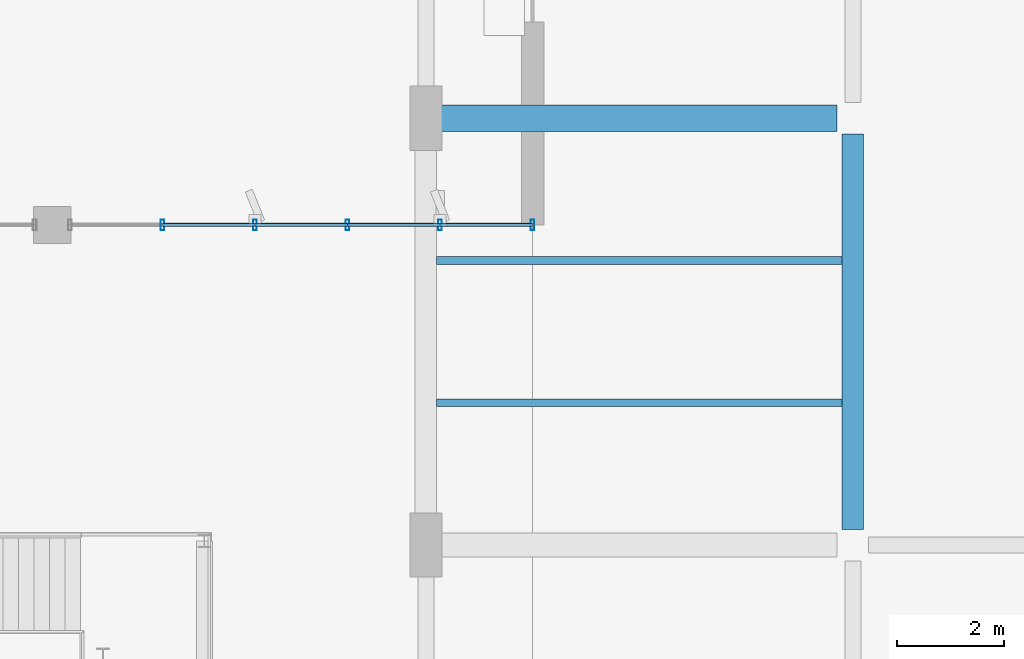
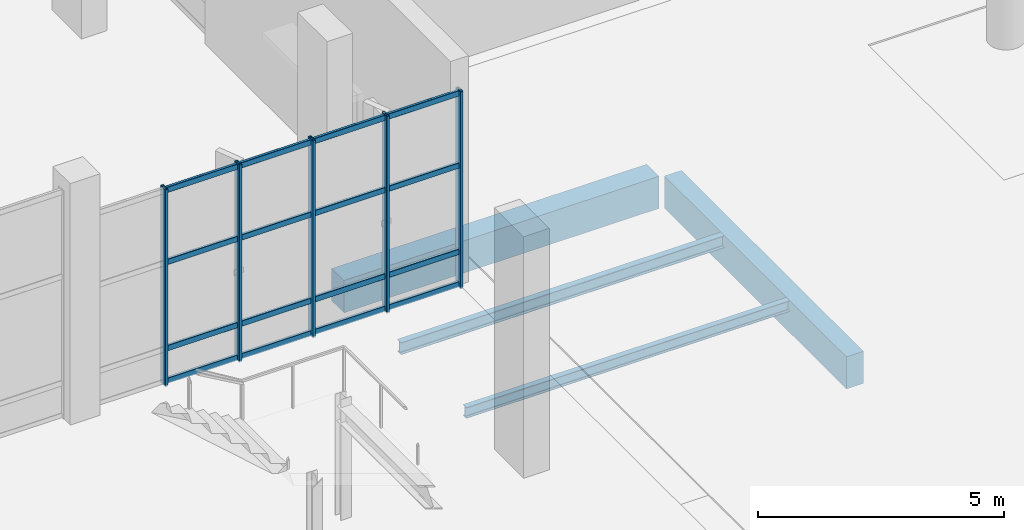
# One storey, part 53 of 163: 21 members, 4 beams, 1 element without a shape of its own.
"""IFC4 building model written with IfcOpenShell, lengths in metres."""

from ifc_helpers import new_model, si_unit, direction, frame, origin, origin_2d, place, context, subcontext, project, spatial, rectangle, hollow_rectangle, i_section, extrude, material, layer, layer_set, material_profile, profile_set, type_object, element, aggregate, save


model = new_model("IFC4")

# Units and contexts
model_context = context("Model", 3, precision=1e-05, world=origin(), true_north=direction((0.0, 1.0)))
body_context = subcontext(model_context, "Body", "Model", "MODEL_VIEW")
ifc_project = project(units=[si_unit("LENGTHUNIT", "METRE"), si_unit("AREAUNIT", "SQUARE_METRE"), si_unit("VOLUMEUNIT", "CUBIC_METRE"), si_unit("PLANEANGLEUNIT", "RADIAN"), si_unit("MASSUNIT", "GRAM", prefix="KILO")], contexts=[model_context])

# Site, building, storey
site_placement = place(None, origin())
site = spatial("IfcSite", under=ifc_project, at=site_placement, CompositionType="ELEMENT")
building_placement = place(site_placement, origin())
building = spatial("IfcBuilding", under=site, at=building_placement, Name="Khorjan Park Terminus", CompositionType="ELEMENT")
storey_placement = place(building_placement, origin())
storey = spatial("IfcBuildingStorey", under=building, at=storey_placement, Name="L00", CompositionType="ELEMENT", Elevation=0.0)

# Beams
ifc_material_1 = material(Name="Concrete C40/50", Category="concrete")
ifc_material_profile_1 = material_profile(ifc_material_1, rectangle(XDim=0.4, YDim=0.8, at=origin_2d()), Name="RC 400x800")
ifc_profile_set_1 = profile_set([ifc_material_profile_1], Name="Concrete C40/50")
beam_type_1 = type_object("IfcBeamType", Name="BM-RC400x800", PredefinedType="BEAM", material=ifc_profile_set_1)
beam_1_placement = place(storey_placement, frame((56.0, 60.295, -0.76), z_axis=(0.0, 1.0, 0.0), x_axis=(-1.0, 0.0, 0.0)))
element("IfcBeam", 1, at=beam_1_placement, inside=storey, type_object=beam_type_1, Name="Primary floor girder GB-08B (L00)", PredefinedType="BEAM", context=body_context, shape_type="SweptSolid", body=[
    extrude(rectangle(XDim=0.4, YDim=0.8, at=origin_2d()), origin(), (0.0, 0.0, 1.0), 7.41),
])
ifc_material_profile_2 = material_profile(ifc_material_1, rectangle(XDim=0.5, YDim=0.8, at=origin_2d()), Name="RC 500x800")
ifc_profile_set_2 = profile_set([ifc_material_profile_2], Name="Concrete C40/50")
beam_type_2 = type_object("IfcBeamType", Name="BM-RC500x800", PredefinedType="BEAM", material=ifc_profile_set_2)
beam_2_placement = place(storey_placement, frame((48.295, 68.0, -0.76), z_axis=(1.0, 0.0, 0.0), x_axis=(0.0, 1.0, 0.0)))
element("IfcBeam", 2, at=beam_2_placement, inside=storey, type_object=beam_type_2, Name="Primary floor girder GB-08 (L00)", PredefinedType="BEAM", context=body_context, shape_type="SweptSolid", body=[
    extrude(rectangle(XDim=0.5, YDim=0.8, at=origin_2d()), origin(), (0.0, 0.0, 1.0), 7.41),
])
ifc_material_2 = material(Name="Steel S355", Category="steel")
ifc_material_profile_3 = material_profile(ifc_material_2, i_section(OverallWidth=0.135, OverallDepth=0.27, WebThickness=0.0066, FlangeThickness=0.0102, FilletRadius=0.015, at=origin_2d()), Name="IPE 270")
ifc_profile_set_3 = profile_set([ifc_material_profile_3], Name="Steel S355")
beam_type_3 = type_object("IfcBeamType", Name="JS-IPE270", PredefinedType="JOIST", material=ifc_profile_set_3)
beam_3_placement = place(storey_placement, frame((48.2, 62.6667, -0.495), z_axis=(1.0, 0.0, 0.0), x_axis=(0.0, 1.0, 0.0)))
element("IfcBeam", 3, at=beam_3_placement, inside=storey, type_object=beam_type_3, Name="Secondary composite floor joist SJ-27 (L00)", PredefinedType="JOIST", context=body_context, shape_type="SweptSolid", body=[
    extrude(i_section(OverallWidth=0.135, OverallDepth=0.27, WebThickness=0.0066, FlangeThickness=0.0102, FilletRadius=0.015, at=origin_2d()), origin(), (0.0, 0.0, 1.0), 7.6),
])
ifc_material_profile_4 = material_profile(ifc_material_2, i_section(OverallWidth=0.15, OverallDepth=0.3, WebThickness=0.0071, FlangeThickness=0.0107, FilletRadius=0.015, at=origin_2d()), Name="IPE 300")
ifc_profile_set_4 = profile_set([ifc_material_profile_4], Name="Steel S355")
beam_type_4 = type_object("IfcBeamType", Name="JS-IPE300", PredefinedType="JOIST", material=ifc_profile_set_4)
beam_4_placement = place(storey_placement, frame((48.2, 65.3333, -0.51), z_axis=(1.0, 0.0, 0.0), x_axis=(0.0, 1.0, 0.0)))
element("IfcBeam", 4, at=beam_4_placement, inside=storey, type_object=beam_type_4, Name="Secondary composite floor joist SJ-30 (L00)", PredefinedType="JOIST", context=body_context, shape_type="SweptSolid", body=[
    extrude(i_section(OverallWidth=0.15, OverallDepth=0.3, WebThickness=0.0071, FlangeThickness=0.0107, FilletRadius=0.015, at=origin_2d()), origin(), (0.0, 0.0, 1.0), 7.6),
])

# Curtain wall, members
ifc_material_3 = material(Name="Anodized Bronze Aluminium", Category="aluminium")
ifc_layer = layer(ifc_material_3, 0.22)
ifc_layer_set = layer_set([ifc_layer], Name="Anodized Bronze Aluminium")
curtain_wall_type = type_object("IfcCurtainWallType", Name="CW-PAV-C", PredefinedType="NOTDEFINED", material=ifc_layer_set)
curtain_wall_placement = place(storey_placement, origin())
curtain_wall = element("IfcCurtainWall", 5, at=curtain_wall_placement, inside=storey, type_object=curtain_wall_type, Name="Unitized curtain wall CW-C (CW-V4L-N-L00-3)", PredefinedType="NOTDEFINED")
ifc_material_profile_5 = material_profile(ifc_material_3, hollow_rectangle(XDim=0.07, YDim=0.2, WallThickness=0.005, InnerFilletRadius=0.005, OuterFilletRadius=0.01, at=origin_2d()), Name="ALM 70x200x5")
ifc_profile_set_5 = profile_set([ifc_material_profile_5], Name="Anodized Bronze Aluminium")
member_type_1 = type_object("IfcMemberType", Name="ML-ALM-200", PredefinedType="MULLION", material=ifc_profile_set_5)
member_1_placement = place(storey_placement, frame((50.0, 66.0, -0.035), z_axis=(0.0, 0.0, 1.0), x_axis=(-1.0, 0.0, 0.0)))
member_1 = element("IfcMember", 6, at=member_1_placement, type_object=member_type_1, Name="Curtain-wall mullion ML-20 (CW-V4L-N-L00-3-0)", PredefinedType="MULLION", context=body_context, shape_type="SweptSolid", body=[
    extrude(hollow_rectangle(XDim=0.07, YDim=0.2, WallThickness=0.005, InnerFilletRadius=0.005, OuterFilletRadius=0.01, at=origin_2d()), origin(), (0.0, 0.0, 1.0), 4.895),
])
member_2_placement = place(storey_placement, frame((48.266, 66.0, -0.035), z_axis=(0.0, 0.0, 1.0), x_axis=(-1.0, 0.0, 0.0)))
member_2 = element("IfcMember", 7, at=member_2_placement, type_object=member_type_1, Name="Curtain-wall mullion ML-20 (CW-V4L-N-L00-3-1)", PredefinedType="MULLION", context=body_context, shape_type="SweptSolid", body=[
    extrude(hollow_rectangle(XDim=0.07, YDim=0.2, WallThickness=0.005, InnerFilletRadius=0.005, OuterFilletRadius=0.01, at=origin_2d()), origin(), (0.0, 0.0, 1.0), 4.895),
])
member_3_placement = place(storey_placement, frame((46.532, 66.0, -0.035), z_axis=(0.0, 0.0, 1.0), x_axis=(-1.0, 0.0, 0.0)))
member_3 = element("IfcMember", 8, at=member_3_placement, type_object=member_type_1, Name="Curtain-wall mullion ML-20 (CW-V4L-N-L00-3-2)", PredefinedType="MULLION", context=body_context, shape_type="SweptSolid", body=[
    extrude(hollow_rectangle(XDim=0.07, YDim=0.2, WallThickness=0.005, InnerFilletRadius=0.005, OuterFilletRadius=0.01, at=origin_2d()), origin(), (0.0, 0.0, 1.0), 4.895),
])
member_4_placement = place(storey_placement, frame((44.798, 66.0, -0.035), z_axis=(0.0, 0.0, 1.0), x_axis=(-1.0, 0.0, 0.0)))
member_4 = element("IfcMember", 9, at=member_4_placement, type_object=member_type_1, Name="Curtain-wall mullion ML-20 (CW-V4L-N-L00-3-3)", PredefinedType="MULLION", context=body_context, shape_type="SweptSolid", body=[
    extrude(hollow_rectangle(XDim=0.07, YDim=0.2, WallThickness=0.005, InnerFilletRadius=0.005, OuterFilletRadius=0.01, at=origin_2d()), origin(), (0.0, 0.0, 1.0), 4.895),
])
member_5_placement = place(storey_placement, frame((43.064, 66.0, -0.035), z_axis=(0.0, 0.0, 1.0), x_axis=(-1.0, 0.0, 0.0)))
member_5 = element("IfcMember", 10, at=member_5_placement, type_object=member_type_1, Name="Curtain-wall mullion ML-20 (CW-V4L-N-L00-3-4)", PredefinedType="MULLION", context=body_context, shape_type="SweptSolid", body=[
    extrude(hollow_rectangle(XDim=0.07, YDim=0.2, WallThickness=0.005, InnerFilletRadius=0.005, OuterFilletRadius=0.01, at=origin_2d()), origin(), (0.0, 0.0, 1.0), 4.895),
])
ifc_material_profile_6 = material_profile(ifc_material_3, hollow_rectangle(XDim=0.065, YDim=0.14, WallThickness=0.004, InnerFilletRadius=0.004, OuterFilletRadius=0.008, at=origin_2d()), Name="ALT 65x140x4")
ifc_profile_set_6 = profile_set([ifc_material_profile_6], Name="Anodized Bronze Aluminium")
member_type_2 = type_object("IfcMemberType", Name="TR-ALT-140", PredefinedType="USERDEFINED", material=ifc_profile_set_6)
member_6_placement = place(storey_placement, frame((50.0, 66.0, 0.04), z_axis=(-1.0, 0.0, 0.0), x_axis=(0.0, -1.0, 0.0)))
member_6 = element("IfcMember", 11, at=member_6_placement, type_object=member_type_2, Name="Curtain-wall transom TR-14 (CW-V4L-N-L00-3-0-1)", ObjectType="TRANSOM", PredefinedType="USERDEFINED", context=body_context, shape_type="SweptSolid", body=[
    extrude(hollow_rectangle(XDim=0.065, YDim=0.14, WallThickness=0.004, InnerFilletRadius=0.004, OuterFilletRadius=0.008, at=origin_2d()), origin(), (0.0, 0.0, 1.0), 1.734),
])
member_7_placement = place(storey_placement, frame((50.0, 66.0, 0.85), z_axis=(-1.0, 0.0, 0.0), x_axis=(0.0, -1.0, 0.0)))
member_7 = element("IfcMember", 12, at=member_7_placement, type_object=member_type_2, Name="Curtain-wall transom TR-14 (CW-V4L-N-L00-3-0-2)", ObjectType="TRANSOM", PredefinedType="USERDEFINED", context=body_context, shape_type="SweptSolid", body=[
    extrude(hollow_rectangle(XDim=0.065, YDim=0.14, WallThickness=0.004, InnerFilletRadius=0.004, OuterFilletRadius=0.008, at=origin_2d()), origin(), (0.0, 0.0, 1.0), 1.734),
])
member_8_placement = place(storey_placement, frame((50.0, 66.0, 2.9915), z_axis=(-1.0, 0.0, 0.0), x_axis=(0.0, -1.0, 0.0)))
member_8 = element("IfcMember", 13, at=member_8_placement, type_object=member_type_2, Name="Curtain-wall transom TR-14 (CW-V4L-N-L00-3-0-3)", ObjectType="TRANSOM", PredefinedType="USERDEFINED", context=body_context, shape_type="SweptSolid", body=[
    extrude(hollow_rectangle(XDim=0.065, YDim=0.14, WallThickness=0.004, InnerFilletRadius=0.004, OuterFilletRadius=0.008, at=origin_2d()), origin(), (0.0, 0.0, 1.0), 1.734),
])
member_9_placement = place(storey_placement, frame((50.0, 66.0, 4.785), z_axis=(-1.0, 0.0, 0.0), x_axis=(0.0, -1.0, 0.0)))
member_9 = element("IfcMember", 14, at=member_9_placement, type_object=member_type_2, Name="Curtain-wall transom TR-14 (CW-V4L-N-L00-3-0-4)", ObjectType="TRANSOM", PredefinedType="USERDEFINED", context=body_context, shape_type="SweptSolid", body=[
    extrude(hollow_rectangle(XDim=0.065, YDim=0.14, WallThickness=0.004, InnerFilletRadius=0.004, OuterFilletRadius=0.008, at=origin_2d()), origin(), (0.0, 0.0, 1.0), 1.734),
])
member_10_placement = place(storey_placement, frame((48.266, 66.0, 0.04), z_axis=(-1.0, 0.0, 0.0), x_axis=(0.0, -1.0, 0.0)))
member_10 = element("IfcMember", 15, at=member_10_placement, type_object=member_type_2, Name="Curtain-wall transom TR-14 (CW-V4L-N-L00-3-1-1)", ObjectType="TRANSOM", PredefinedType="USERDEFINED", context=body_context, shape_type="SweptSolid", body=[
    extrude(hollow_rectangle(XDim=0.065, YDim=0.14, WallThickness=0.004, InnerFilletRadius=0.004, OuterFilletRadius=0.008, at=origin_2d()), origin(), (0.0, 0.0, 1.0), 1.734),
])
member_11_placement = place(storey_placement, frame((48.266, 66.0, 0.85), z_axis=(-1.0, 0.0, 0.0), x_axis=(0.0, -1.0, 0.0)))
member_11 = element("IfcMember", 16, at=member_11_placement, type_object=member_type_2, Name="Curtain-wall transom TR-14 (CW-V4L-N-L00-3-1-2)", ObjectType="TRANSOM", PredefinedType="USERDEFINED", context=body_context, shape_type="SweptSolid", body=[
    extrude(hollow_rectangle(XDim=0.065, YDim=0.14, WallThickness=0.004, InnerFilletRadius=0.004, OuterFilletRadius=0.008, at=origin_2d()), origin(), (0.0, 0.0, 1.0), 1.734),
])
member_12_placement = place(storey_placement, frame((48.266, 66.0, 2.9915), z_axis=(-1.0, 0.0, 0.0), x_axis=(0.0, -1.0, 0.0)))
member_12 = element("IfcMember", 17, at=member_12_placement, type_object=member_type_2, Name="Curtain-wall transom TR-14 (CW-V4L-N-L00-3-1-3)", ObjectType="TRANSOM", PredefinedType="USERDEFINED", context=body_context, shape_type="SweptSolid", body=[
    extrude(hollow_rectangle(XDim=0.065, YDim=0.14, WallThickness=0.004, InnerFilletRadius=0.004, OuterFilletRadius=0.008, at=origin_2d()), origin(), (0.0, 0.0, 1.0), 1.734),
])
member_13_placement = place(storey_placement, frame((48.266, 66.0, 4.785), z_axis=(-1.0, 0.0, 0.0), x_axis=(0.0, -1.0, 0.0)))
member_13 = element("IfcMember", 18, at=member_13_placement, type_object=member_type_2, Name="Curtain-wall transom TR-14 (CW-V4L-N-L00-3-1-4)", ObjectType="TRANSOM", PredefinedType="USERDEFINED", context=body_context, shape_type="SweptSolid", body=[
    extrude(hollow_rectangle(XDim=0.065, YDim=0.14, WallThickness=0.004, InnerFilletRadius=0.004, OuterFilletRadius=0.008, at=origin_2d()), origin(), (0.0, 0.0, 1.0), 1.734),
])
member_14_placement = place(storey_placement, frame((46.532, 66.0, 0.04), z_axis=(-1.0, 0.0, 0.0), x_axis=(0.0, -1.0, 0.0)))
member_14 = element("IfcMember", 19, at=member_14_placement, type_object=member_type_2, Name="Curtain-wall transom TR-14 (CW-V4L-N-L00-3-2-1)", ObjectType="TRANSOM", PredefinedType="USERDEFINED", context=body_context, shape_type="SweptSolid", body=[
    extrude(hollow_rectangle(XDim=0.065, YDim=0.14, WallThickness=0.004, InnerFilletRadius=0.004, OuterFilletRadius=0.008, at=origin_2d()), origin(), (0.0, 0.0, 1.0), 1.734),
])
member_15_placement = place(storey_placement, frame((46.532, 66.0, 0.85), z_axis=(-1.0, 0.0, 0.0), x_axis=(0.0, -1.0, 0.0)))
member_15 = element("IfcMember", 20, at=member_15_placement, type_object=member_type_2, Name="Curtain-wall transom TR-14 (CW-V4L-N-L00-3-2-2)", ObjectType="TRANSOM", PredefinedType="USERDEFINED", context=body_context, shape_type="SweptSolid", body=[
    extrude(hollow_rectangle(XDim=0.065, YDim=0.14, WallThickness=0.004, InnerFilletRadius=0.004, OuterFilletRadius=0.008, at=origin_2d()), origin(), (0.0, 0.0, 1.0), 1.734),
])
member_16_placement = place(storey_placement, frame((46.532, 66.0, 2.9915), z_axis=(-1.0, 0.0, 0.0), x_axis=(0.0, -1.0, 0.0)))
member_16 = element("IfcMember", 21, at=member_16_placement, type_object=member_type_2, Name="Curtain-wall transom TR-14 (CW-V4L-N-L00-3-2-3)", ObjectType="TRANSOM", PredefinedType="USERDEFINED", context=body_context, shape_type="SweptSolid", body=[
    extrude(hollow_rectangle(XDim=0.065, YDim=0.14, WallThickness=0.004, InnerFilletRadius=0.004, OuterFilletRadius=0.008, at=origin_2d()), origin(), (0.0, 0.0, 1.0), 1.734),
])
member_17_placement = place(storey_placement, frame((46.532, 66.0, 4.785), z_axis=(-1.0, 0.0, 0.0), x_axis=(0.0, -1.0, 0.0)))
member_17 = element("IfcMember", 22, at=member_17_placement, type_object=member_type_2, Name="Curtain-wall transom TR-14 (CW-V4L-N-L00-3-2-4)", ObjectType="TRANSOM", PredefinedType="USERDEFINED", context=body_context, shape_type="SweptSolid", body=[
    extrude(hollow_rectangle(XDim=0.065, YDim=0.14, WallThickness=0.004, InnerFilletRadius=0.004, OuterFilletRadius=0.008, at=origin_2d()), origin(), (0.0, 0.0, 1.0), 1.734),
])
member_18_placement = place(storey_placement, frame((44.798, 66.0, 0.04), z_axis=(-1.0, 0.0, 0.0), x_axis=(0.0, -1.0, 0.0)))
member_18 = element("IfcMember", 23, at=member_18_placement, type_object=member_type_2, Name="Curtain-wall transom TR-14 (CW-V4L-N-L00-3-3-1)", ObjectType="TRANSOM", PredefinedType="USERDEFINED", context=body_context, shape_type="SweptSolid", body=[
    extrude(hollow_rectangle(XDim=0.065, YDim=0.14, WallThickness=0.004, InnerFilletRadius=0.004, OuterFilletRadius=0.008, at=origin_2d()), origin(), (0.0, 0.0, 1.0), 1.734),
])
member_19_placement = place(storey_placement, frame((44.798, 66.0, 0.85), z_axis=(-1.0, 0.0, 0.0), x_axis=(0.0, -1.0, 0.0)))
member_19 = element("IfcMember", 24, at=member_19_placement, type_object=member_type_2, Name="Curtain-wall transom TR-14 (CW-V4L-N-L00-3-3-2)", ObjectType="TRANSOM", PredefinedType="USERDEFINED", context=body_context, shape_type="SweptSolid", body=[
    extrude(hollow_rectangle(XDim=0.065, YDim=0.14, WallThickness=0.004, InnerFilletRadius=0.004, OuterFilletRadius=0.008, at=origin_2d()), origin(), (0.0, 0.0, 1.0), 1.734),
])
member_20_placement = place(storey_placement, frame((44.798, 66.0, 2.9915), z_axis=(-1.0, 0.0, 0.0), x_axis=(0.0, -1.0, 0.0)))
member_20 = element("IfcMember", 25, at=member_20_placement, type_object=member_type_2, Name="Curtain-wall transom TR-14 (CW-V4L-N-L00-3-3-3)", ObjectType="TRANSOM", PredefinedType="USERDEFINED", context=body_context, shape_type="SweptSolid", body=[
    extrude(hollow_rectangle(XDim=0.065, YDim=0.14, WallThickness=0.004, InnerFilletRadius=0.004, OuterFilletRadius=0.008, at=origin_2d()), origin(), (0.0, 0.0, 1.0), 1.734),
])
member_21_placement = place(storey_placement, frame((44.798, 66.0, 4.785), z_axis=(-1.0, 0.0, 0.0), x_axis=(0.0, -1.0, 0.0)))
member_21 = element("IfcMember", 26, at=member_21_placement, type_object=member_type_2, Name="Curtain-wall transom TR-14 (CW-V4L-N-L00-3-3-4)", ObjectType="TRANSOM", PredefinedType="USERDEFINED", context=body_context, shape_type="SweptSolid", body=[
    extrude(hollow_rectangle(XDim=0.065, YDim=0.14, WallThickness=0.004, InnerFilletRadius=0.004, OuterFilletRadius=0.008, at=origin_2d()), origin(), (0.0, 0.0, 1.0), 1.734),
])
aggregate(curtain_wall, [member_1, member_2, member_3, member_4, member_5, member_6, member_7, member_8, member_9, member_10, member_11, member_12, member_13, member_14, member_15, member_16, member_17, member_18, member_19, member_20, member_21])

save(model, "model.ifc")
